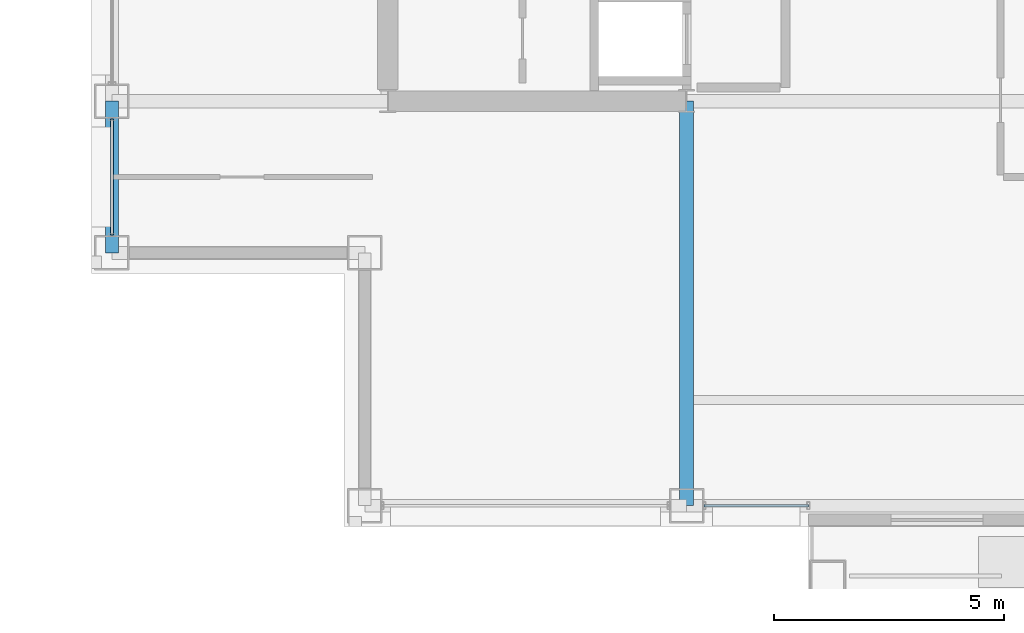
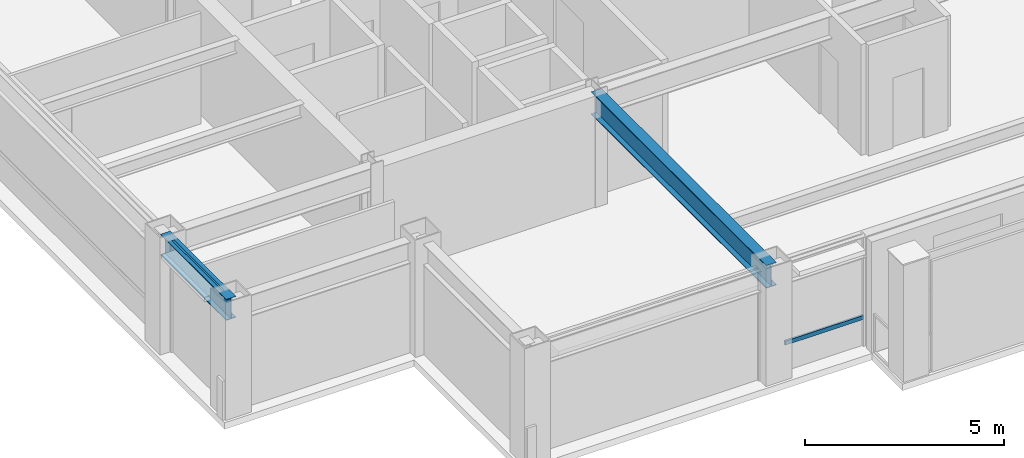
# One storey, part 3 of 28: 2 beams, 2 members, 2 elements without a shape of their own.
"""IFC4 building model written with IfcOpenShell, lengths in metres."""

from ifc_helpers import new_model, si_unit, direction, frame, origin, origin_2d, place, context, subcontext, project, spatial, hollow_rectangle, i_section, extrude, material, layer, layer_set, material_profile, profile_set, type_object, element, aggregate, save


model = new_model("IFC4")

# Units and contexts
model_context = context("Model", 3, precision=1e-05, world=origin(), true_north=direction((0.0, 1.0)))
body_context = subcontext(model_context, "Body", "Model", "MODEL_VIEW")
ifc_project = project(units=[si_unit("LENGTHUNIT", "METRE"), si_unit("AREAUNIT", "SQUARE_METRE"), si_unit("VOLUMEUNIT", "CUBIC_METRE"), si_unit("PLANEANGLEUNIT", "RADIAN"), si_unit("MASSUNIT", "GRAM", prefix="KILO")], contexts=[model_context])

# Site, building, storey
site_placement = place(None, origin())
site = spatial("IfcSite", under=ifc_project, at=site_placement, CompositionType="ELEMENT")
building_placement = place(site_placement, origin())
building = spatial("IfcBuilding", under=site, at=building_placement, Name="Brelmoor Portico Tower", CompositionType="ELEMENT")
storey_placement = place(building_placement, frame((0.0, 0.0, 165.89990234375)))
storey = spatial("IfcBuildingStorey", under=building, at=storey_placement, Name="L43", CompositionType="ELEMENT", Elevation=165.89990234375)

# Beams
ifc_material_1 = material(Name="Steel Q355B", Category="steel")
ifc_material_profile_1 = material_profile(ifc_material_1, i_section(OverallWidth=0.300048828125, OverallDepth=0.699951171875, WebThickness=0.012939453125, FlangeThickness=0.02392578125, at=origin_2d()), Name="HN 700x300x13x24")
ifc_profile_set_1 = profile_set([ifc_material_profile_1], Name="Steel Q355B")
beam_type_1 = type_object("IfcBeamType", Name="BM-PG-700", PredefinedType="BEAM", material=ifc_profile_set_1)
beam_1_placement = place(storey_placement, frame((-8.050048828125, -18.550048828125, 3.050048828125), z_axis=(0.0, 1.0, 0.0), x_axis=(-1.0, 0.0, 0.0)))
element("IfcBeam", 1, at=beam_1_placement, inside=storey, type_object=beam_type_1, Name="L43 Primary Floor Girder PG-03", PredefinedType="BEAM", context=body_context, shape_type="SweptSolid", body=[
    extrude(i_section(OverallWidth=0.300048828125, OverallDepth=0.699951171875, WebThickness=0.012939453125, FlangeThickness=0.02392578125, at=origin_2d()), origin(), (0.0, 0.0, 1.0), 8.800048828125),
])
ifc_material_profile_2 = material_profile(ifc_material_1, i_section(OverallWidth=0.280029296875, OverallDepth=0.64990234375, WebThickness=0.012939453125, FlangeThickness=0.02197265625, at=origin_2d()), Name="HN 650x280x13x22")
ifc_profile_set_2 = profile_set([ifc_material_profile_2], Name="Steel Q355B")
beam_type_2 = type_object("IfcBeamType", Name="BM-SP-650", PredefinedType="SPANDREL", material=ifc_profile_set_2)
beam_2_placement = place(storey_placement, frame((-20.550048828125, -13.050048828125, 3.0751953125), z_axis=(0.0, 1.0, 0.0), x_axis=(-1.0, 0.0, 0.0)))
element("IfcBeam", 2, at=beam_2_placement, inside=storey, type_object=beam_type_2, Name="L43 Perimeter Spandrel Beam SP-11", PredefinedType="SPANDREL", context=body_context, shape_type="SweptSolid", body=[
    extrude(i_section(OverallWidth=0.280029296875, OverallDepth=0.64990234375, WebThickness=0.012939453125, FlangeThickness=0.02197265625, at=origin_2d()), origin(), (0.0, 0.0, 1.0), 3.300048828125),
])

# Curtain wall, member
ifc_material_2 = material(Name="Anodised Aluminium Alloy 6063-T6", Category="aluminium")
ifc_layer_1 = layer(ifc_material_2, 0.179931640625)
ifc_layer_set_1 = layer_set([ifc_layer_1], Name="Anodised Aluminium Alloy 6063-T6")
curtain_wall_type_1 = type_object("IfcCurtainWallType", Name="CW-TOWER-Z3", PredefinedType="NOTDEFINED", material=ifc_layer_set_1)
curtain_wall_1_placement = place(storey_placement, origin())
curtain_wall_1 = element("IfcCurtainWall", 3, at=curtain_wall_1_placement, inside=storey, type_object=curtain_wall_type_1, Name="L43 Curtain Wall CW-L43-1L-2", PredefinedType="NOTDEFINED")
ifc_material_profile_3 = material_profile(ifc_material_2, hollow_rectangle(XDim=0.06005859375, YDim=0.125, WallThickness=0.00341796875, at=origin_2d()), Name="ALU TRANSOM 60x125")
ifc_profile_set_3 = profile_set([ifc_material_profile_3], Name="Anodised Aluminium Alloy 6063-T6")
member_type = type_object("IfcMemberType", Name="MB-CW-TRAN-125", PredefinedType="USERDEFINED", material=ifc_profile_set_3)
member_1_placement = place(storey_placement, frame((-7.6650390625, -18.550048828125, 0.85009765625), z_axis=(1.0, 0.0, 0.0), x_axis=(0.0, 1.0, 0.0)))
member_1 = element("IfcMember", 4, at=member_1_placement, type_object=member_type, Name="CW-L43-1L-2 Transom 1-00", ObjectType="TRANSOM", PredefinedType="USERDEFINED", context=body_context, shape_type="SweptSolid", body=[
    extrude(hollow_rectangle(XDim=0.06005859375, YDim=0.125, WallThickness=0.00341796875, at=origin_2d()), origin(), (0.0, 0.0, 1.0), 2.26513671875),
])
aggregate(curtain_wall_1, [member_1])

ifc_layer_2 = layer(ifc_material_2, 0.179931640625)
ifc_layer_set_2 = layer_set([ifc_layer_2], Name="Anodised Aluminium Alloy 6063-T6")
curtain_wall_type_2 = type_object("IfcCurtainWallType", Name="CW-TOWER-Z3-XB", PredefinedType="NOTDEFINED", material=ifc_layer_set_2)
curtain_wall_2_placement = place(storey_placement, origin())
curtain_wall_2 = element("IfcCurtainWall", 5, at=curtain_wall_2_placement, inside=storey, type_object=curtain_wall_type_2, Name="L43 Curtain Wall CW-L43-3L-1", PredefinedType="NOTDEFINED")
member_2_placement = place(storey_placement, frame((-20.550048828125, -12.6650390625, 3.337646484375), z_axis=(0.0, 1.0, 0.0), x_axis=(-1.0, 0.0, 0.0)))
member_2 = element("IfcMember", 6, at=member_2_placement, type_object=member_type, Name="CW-L43-3L-1 Transom 1-00", ObjectType="TRANSOM", PredefinedType="USERDEFINED", context=body_context, shape_type="SweptSolid", body=[
    extrude(hollow_rectangle(XDim=0.06005859375, YDim=0.125, WallThickness=0.00341796875, at=origin_2d()), origin(), (0.0, 0.0, 1.0), 2.530029296875),
])
aggregate(curtain_wall_2, [member_2])

save(model, "model.ifc")
